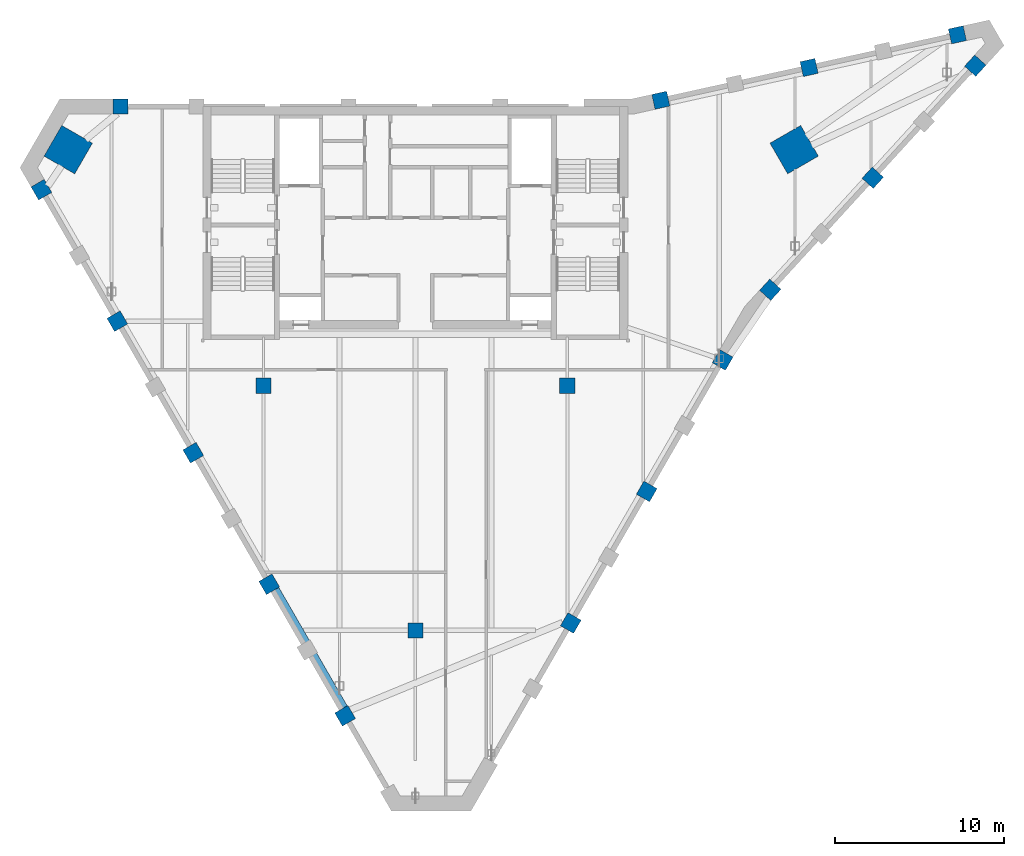
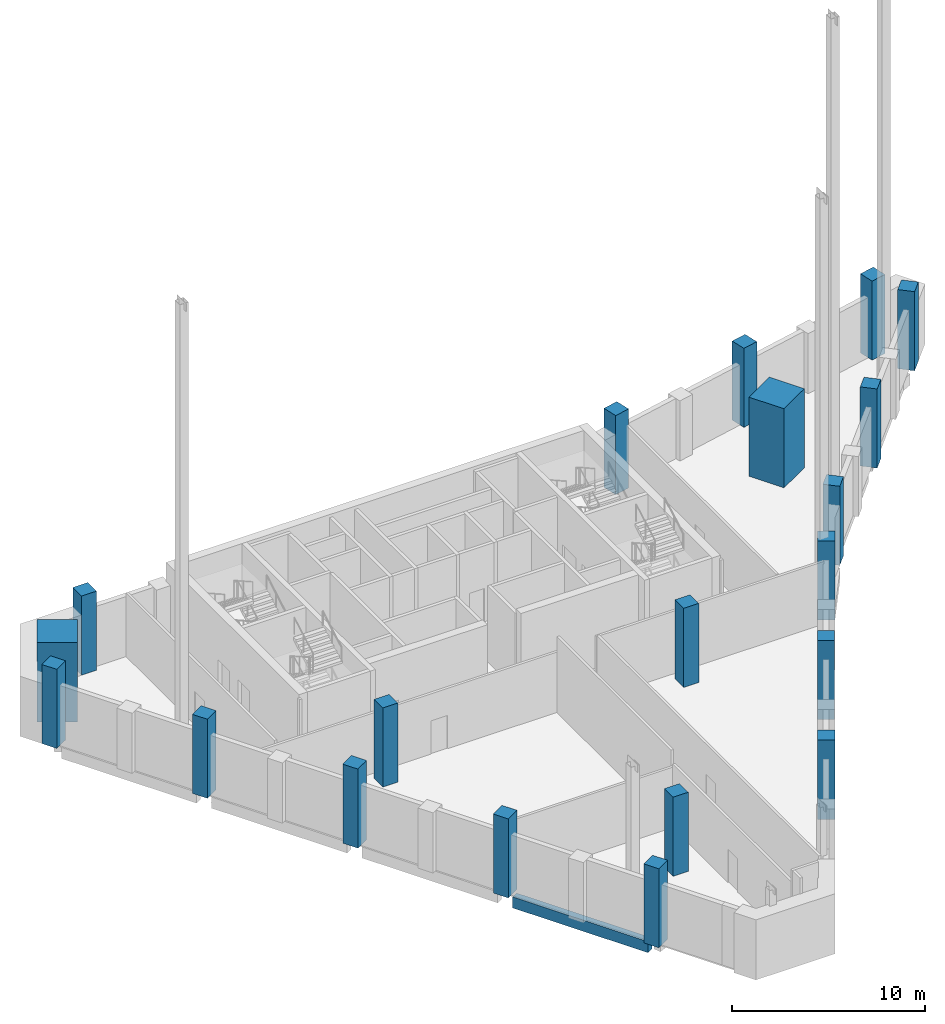
# One storey, part 1 of 11: 20 columns, 1 beam.
"""IFC4 building model written with IfcOpenShell, lengths in metres."""

from ifc_helpers import new_model, si_unit, direction, frame, origin, origin_2d, place, context, subcontext, project, spatial, rectangle, extrude, material, material_profile, profile_set, type_object, element, save


model = new_model("IFC4")

# Units and contexts
model_context = context("Model", 3, precision=1e-05, world=origin(), true_north=direction((0.0, 1.0)))
body_context = subcontext(model_context, "Body", "Model", "MODEL_VIEW")
ifc_project = project(units=[si_unit("LENGTHUNIT", "METRE"), si_unit("AREAUNIT", "SQUARE_METRE"), si_unit("VOLUMEUNIT", "CUBIC_METRE"), si_unit("PLANEANGLEUNIT", "RADIAN"), si_unit("MASSUNIT", "GRAM", prefix="KILO")], contexts=[model_context])

# Site, building, storey
site_placement = place(None, origin())
site = spatial("IfcSite", under=ifc_project, at=site_placement, CompositionType="ELEMENT")
building_placement = place(site_placement, origin())
building = spatial("IfcBuilding", under=site, at=building_placement, Name="Calabash Gate Tower", CompositionType="ELEMENT")
storey_placement = place(building_placement, frame((0.0, 0.0, 310.5)))
storey = spatial("IfcBuildingStorey", under=building, at=storey_placement, Name="L73", CompositionType="ELEMENT", Elevation=310.5)

# Columns
ifc_material_1 = material(Name="Concrete C60/75", Category="concrete")
ifc_material_profile_1 = material_profile(ifc_material_1, rectangle(XDim=0.89990234375, YDim=0.89990234375, at=origin_2d()))
ifc_profile_set_1 = profile_set([ifc_material_profile_1], Name="Concrete C60/75")
column_type_1 = type_object("IfcColumnType", Name="Interior column RC 900x900 Concrete C60/75", PredefinedType="COLUMN", material=ifc_profile_set_1)
for number, where, z_axis, x_axis, name in (
    (1, (-9.0, 2.5, 0.0), (0.0, 0.0, 1.0), (1.0, 0.0, 0.0), "Interior column L73 I0"),
    (2, (9.0, 2.5, 0.0), (0.0, 0.0, 1.0), (1.0, 0.0, 0.0), "Interior column L73 I1"),
    (3, (0.0, -12.0, 0.0), (0.0, 0.0, 1.0), (1.0, 0.0, 0.0), "Interior column L73 I2"),
):
    element("IfcColumn", number, at=place(storey_placement, frame(where, z_axis=z_axis, x_axis=x_axis)), inside=storey, type_object=column_type_1, Name=name, PredefinedType="COLUMN", context=body_context, shape_type="SweptSolid", body=[
        extrude(rectangle(XDim=0.89990234375, YDim=0.89990234375, at=origin_2d()), origin(), (0.0, 0.0, 1.0), 5.0),
    ])
ifc_material_2 = material(Name="Concrete C60/75", Category="concrete")
ifc_material_profile_2 = material_profile(ifc_material_2, rectangle(XDim=2.10009765625, YDim=2.10009765625, at=origin_2d()))
ifc_profile_set_2 = profile_set([ifc_material_profile_2], Name="Concrete C60/75")
column_type_2 = type_object("IfcColumnType", Name="Mega column RC 2100x2100 Concrete C60/75", PredefinedType="COLUMN", material=ifc_profile_set_2)
for number, where, z_axis, x_axis, name in (
    (4, (-20.572998046875, 16.491943359375, 0.0), (0.0, 0.0, 1.0), (0.866025395058, -0.500000015115, 0.0), "Mega column L73 NW"),
    (5, (22.447021484375, 16.491943359375, 0.0), (0.0, 0.0, 1.0), (-0.866025395058, -0.500000015115, 0.0), "Mega column L73 NE"),
):
    element("IfcColumn", number, at=place(storey_placement, frame(where, z_axis=z_axis, x_axis=x_axis)), inside=storey, type_object=column_type_2, Name=name, PredefinedType="COLUMN", context=body_context, shape_type="SweptSolid", body=[
        extrude(rectangle(XDim=2.10009765625, YDim=2.10009765625, at=origin_2d()), origin(), (0.0, 0.0, 1.0), 5.0),
    ])
ifc_material_3 = material(Name="Concrete C50/60", Category="concrete")
ifc_material_profile_3 = material_profile(ifc_material_3, rectangle(XDim=0.89990234375, YDim=0.89990234375, at=origin_2d()))
ifc_profile_set_3 = profile_set([ifc_material_profile_3], Name="Concrete C50/60")
column_type_3 = type_object("IfcColumnType", Name="Perimeter column RC 900x900 Concrete C50/60", PredefinedType="COLUMN", material=ifc_profile_set_3)
for number, where, z_axis, x_axis, name in (
    (6, (-22.162109375, 14.1201171875, 0.0), (0.0, 0.0, 1.0), (0.500000015115, -0.866025395058, 0.0), "Perimeter column L73 P20"),
    (7, (-17.662109375, 6.325927734375, 0.0), (0.0, 0.0, 1.0), (0.500000015115, -0.866025395058, 0.0), "Perimeter column L73 P00"),
    (8, (-13.162109375, -1.468017578125, 0.0), (0.0, 0.0, 1.0), (0.500000015115, -0.866025395058, 0.0), "Perimeter column L73 P01"),
    (9, (-8.662109375, -9.262939453125, 0.0), (0.0, 0.0, 1.0), (0.500000015115, -0.866025395058, 0.0), "Perimeter column L73 P02"),
    (10, (-4.162109375, -17.056884765625, 0.0), (0.0, 0.0, 1.0), (0.500000015115, -0.866025395058, 0.0), "Perimeter column L73 P03"),
    (11, (9.2080078125, -11.55908203125, 0.0), (0.0, 0.0, 1.0), (0.499999984885, 0.866025412511, 0.0), "Perimeter column L73 P09"),
    (12, (13.7080078125, -3.762939453125, 0.0), (0.0, 0.0, 1.0), (0.499999984885, 0.866025412511, 0.0), "Perimeter column L73 P10"),
    (13, (18.2080078125, 4.030029296875, 0.0), (0.0, 0.0, 1.0), (0.499999984885, 0.866025412511, 0.0), "Perimeter column L73 P11"),
    (14, (21.031005859375, 8.18701171875, 0.0), (0.0, 0.0, 1.0), (0.67485604152, 0.737949404244, 0.0), "Perimeter column L73 P12"),
    (15, (27.10400390625, 14.825927734375, 0.0), (0.0, 0.0, 1.0), (0.67485604152, 0.737949404244, 0.0), "Perimeter column L73 P36"),
    (16, (33.177978515625, 21.468017578125, 0.0), (0.0, 0.0, 1.0), (0.67485604152, 0.737949404244, 0.0), "Perimeter column L73 P37"),
    (17, (32.12109375, 23.298095703125, 0.0), (0.0, 0.0, 1.0), (-0.976510951543, -0.215467773731, 0.0), "Perimeter column L73 P38"),
    (18, (23.3330078125, 21.35888671875, 0.0), (0.0, 0.0, 1.0), (-0.976510951543, -0.215467773731, 0.0), "Perimeter column L73 P39"),
    (19, (14.5439453125, 19.4189453125, 0.0), (0.0, 0.0, 1.0), (-0.976510951543, -0.215467773731, 0.0), "Perimeter column L73 P40"),
    (20, (-17.466064453125, 19.052978515625, 0.0), (0.0, 0.0, 1.0), (-1.0, 0.0, 0.0), "Perimeter column L73 P31"),
):
    element("IfcColumn", number, at=place(storey_placement, frame(where, z_axis=z_axis, x_axis=x_axis)), inside=storey, type_object=column_type_3, Name=name, PredefinedType="COLUMN", context=body_context, shape_type="SweptSolid", body=[
        extrude(rectangle(XDim=0.89990234375, YDim=0.89990234375, at=origin_2d()), origin(), (0.0, 0.0, 1.0), 5.0),
    ])

# Beam
ifc_material_4 = material(Name="Concrete C50/60", Category="concrete")
ifc_material_profile_4 = material_profile(ifc_material_4, rectangle(XDim=0.39990234375, YDim=0.699951171875, at=origin_2d()))
ifc_profile_set_4 = profile_set([ifc_material_profile_4], Name="Concrete C50/60")
beam_type = type_object("IfcBeamType", Name="Edge beam RC 400x700 Concrete C50/60", PredefinedType="BEAM", material=ifc_profile_set_4)
beam_placement = place(storey_placement, frame((-8.263916015625, -9.552001953125, -0.550048828125), z_axis=(0.499977274689, -0.866038523851, 0.0), x_axis=(0.866038523851, 0.499977274689, 0.0)))
element("IfcBeam", 21, at=beam_placement, inside=storey, type_object=beam_type, Name="Edge beam L73 2", PredefinedType="BEAM", context=body_context, shape_type="SweptSolid", body=[
    extrude(rectangle(XDim=0.39990234375, YDim=0.699951171875, at=origin_2d()), origin(), (0.0, 0.0, 1.0), 8.10009765625),
])

save(model, "model.ifc")
